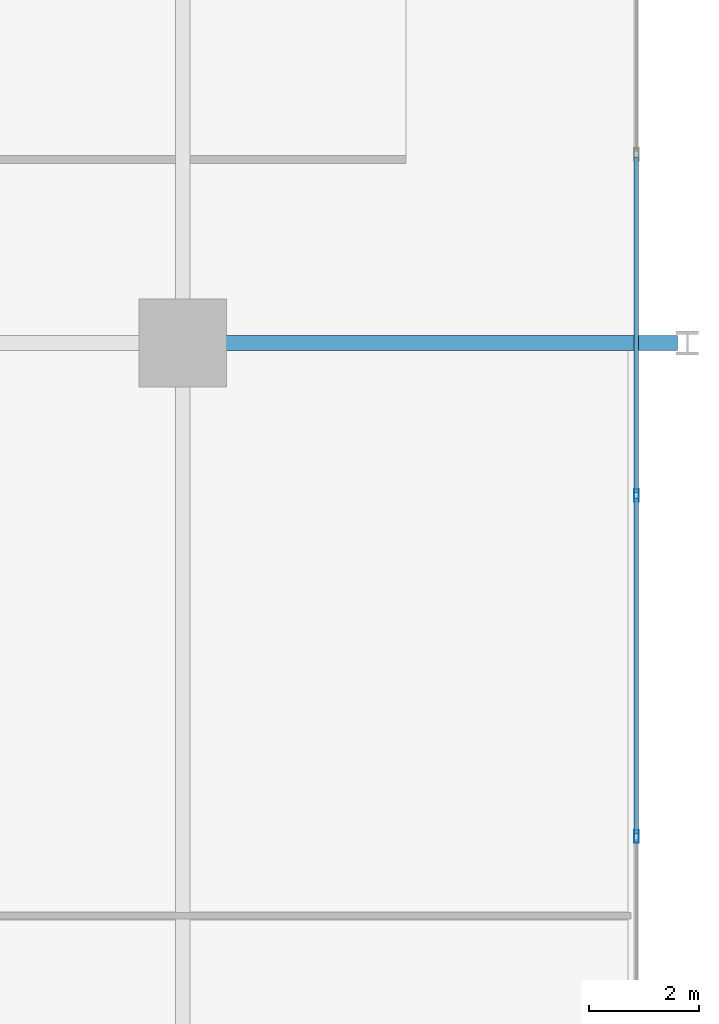
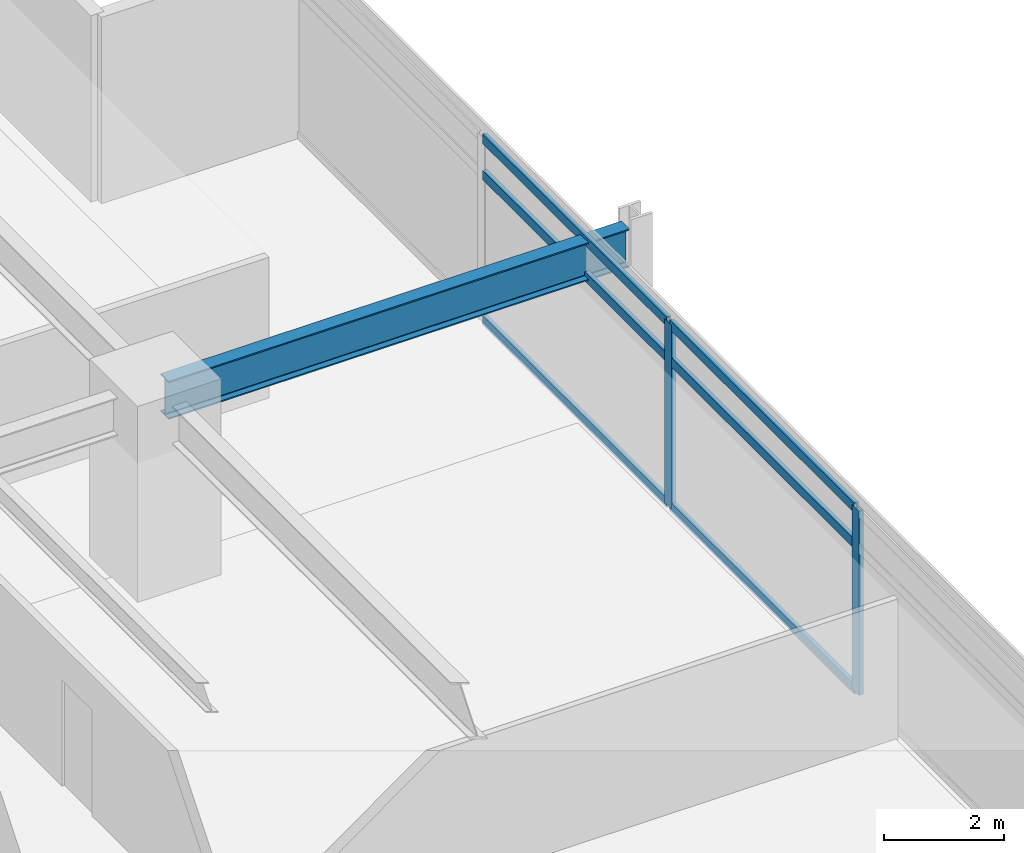
# One storey, part 9 of 20: 8 members, 1 beam, 1 element without a shape of its own.
"""IFC4 building model written with IfcOpenShell, lengths in metres."""

from ifc_helpers import new_model, si_unit, direction, frame, origin, origin_2d, place, context, subcontext, project, spatial, hollow_rectangle, i_section, extrude, material, material_profile, profile_set, type_object, element, aggregate, save


model = new_model("IFC4")

# Units and contexts
model_context = context("Model", 3, precision=1e-05, world=origin(), true_north=direction((0.0, 1.0)))
body_context = subcontext(model_context, "Body", "Model", "MODEL_VIEW")
ifc_project = project(units=[si_unit("LENGTHUNIT", "METRE"), si_unit("AREAUNIT", "SQUARE_METRE"), si_unit("VOLUMEUNIT", "CUBIC_METRE"), si_unit("PLANEANGLEUNIT", "RADIAN"), si_unit("MASSUNIT", "GRAM", prefix="KILO")], contexts=[model_context])

# Site, building, storey
site_placement = place(None, origin())
site = spatial("IfcSite", under=ifc_project, at=site_placement, CompositionType="ELEMENT")
building_placement = place(site_placement, origin())
building = spatial("IfcBuilding", under=site, at=building_placement, Name="Kovane Verandah Tower", CompositionType="ELEMENT")
storey_placement = place(building_placement, frame((0.0, 0.0, 160.39990234375)))
storey = spatial("IfcBuildingStorey", under=building, at=storey_placement, Name="L37", CompositionType="ELEMENT", Elevation=160.39990234375)

# Beam
ifc_material_1 = material(Name="Steel S355", Category="steel")
ifc_material_profile_1 = material_profile(ifc_material_1, i_section(OverallWidth=0.26806640625, OverallDepth=0.769775390625, WebThickness=0.015625, FlangeThickness=0.025390625, FilletRadius=0.0166015625, at=origin_2d()), Name="UB762x267x197")
ifc_profile_set_1 = profile_set([ifc_material_profile_1], Name="Steel S355")
beam_type = type_object("IfcBeamType", Name="BM-UB762x197", PredefinedType="BEAM", material=ifc_profile_set_1)
beam_placement = place(storey_placement, frame((58.580078125, 36.5, 3.375244140625), z_axis=(1.0, 0.0, 0.0), x_axis=(0.0, 1.0, 0.0)))
element("IfcBeam", 1, at=beam_placement, inside=storey, type_object=beam_type, Name="L37 Primary Tower Girder G-VE2", PredefinedType="BEAM", context=body_context, shape_type="SweptSolid", body=[
    extrude(i_section(OverallWidth=0.26806640625, OverallDepth=0.769775390625, WebThickness=0.015625, FlangeThickness=0.025390625, FilletRadius=0.0166015625, at=origin_2d()), origin(), (0.0, 0.0, 1.0), 8.83984375),
])

# Curtain wall, members
ifc_material_2 = material(Name="Champagne Anodised Aluminium Frame with Low-E Clear Laminated Glass", Category="aluminium")
curtain_wall_type = type_object("IfcCurtainWallType", Name="CW-SYS-03-MID", PredefinedType="NOTDEFINED", material=ifc_material_2)
curtain_wall_placement = place(storey_placement, origin())
curtain_wall = element("IfcCurtainWall", 2, at=curtain_wall_placement, inside=storey, type_object=curtain_wall_type, Name="L37 E Unitised Curtain Wall", PredefinedType="NOTDEFINED")
ifc_material_3 = material(Name="Champagne Anodised Aluminium 6063-T6", Category="aluminium")
ifc_material_profile_2 = material_profile(ifc_material_3, hollow_rectangle(XDim=0.0849609375, YDim=0.22998046875, WallThickness=0.00390625, at=origin_2d()), Name="AL85x230x4")
ifc_profile_set_2 = profile_set([ifc_material_profile_2], Name="Champagne Anodised Aluminium 6063-T6")
member_type_1 = type_object("IfcMemberType", Name="CW-MUL-85x230", PredefinedType="MULLION", material=ifc_profile_set_2)
member_1_placement = place(storey_placement, frame((66.67236328125, 27.5, 0.02001953125), z_axis=(0.0, 0.0, 1.0), x_axis=(1.0, 0.0, 0.0)))
member_1 = element("IfcMember", 3, at=member_1_placement, type_object=member_type_1, Name="L37 E Unitised Curtain Wall Mullion 4", PredefinedType="MULLION", context=body_context, shape_type="SweptSolid", body=[
    extrude(hollow_rectangle(XDim=0.0849609375, YDim=0.22998046875, WallThickness=0.00390625, at=origin_2d()), origin(), (0.0, 0.0, 1.0), 3.735107421875),
])
member_2_placement = place(storey_placement, frame((66.67236328125, 33.720458984375, 0.02001953125), z_axis=(0.0, 0.0, 1.0), x_axis=(1.0, 0.0, 0.0)))
member_2 = element("IfcMember", 4, at=member_2_placement, type_object=member_type_1, Name="L37 E Unitised Curtain Wall Mullion 5", PredefinedType="MULLION", context=body_context, shape_type="SweptSolid", body=[
    extrude(hollow_rectangle(XDim=0.0849609375, YDim=0.22998046875, WallThickness=0.00390625, at=origin_2d()), origin(), (0.0, 0.0, 1.0), 3.735107421875),
])
ifc_material_profile_3 = material_profile(ifc_material_3, hollow_rectangle(XDim=0.0849609375, YDim=0.18994140625, WallThickness=0.00390625, at=origin_2d()), Name="AL85x190x4")
ifc_profile_set_3 = profile_set([ifc_material_profile_3], Name="Champagne Anodised Aluminium 6063-T6")
member_type_2 = type_object("IfcMemberType", Name="CW-TRN-85x190", PredefinedType="USERDEFINED", material=ifc_profile_set_3)
member_3_placement = place(storey_placement, frame((66.67236328125, 27.550048828125, 0.050048828125), z_axis=(0.0, 1.0, 0.0), x_axis=(-1.0, 0.0, 0.0)))
member_3 = element("IfcMember", 5, at=member_3_placement, type_object=member_type_2, Name="L37 E Unitised Curtain Wall Transom TB Bay 4", ObjectType="TRANSOM", PredefinedType="USERDEFINED", context=body_context, shape_type="SweptSolid", body=[
    extrude(hollow_rectangle(XDim=0.0849609375, YDim=0.18994140625, WallThickness=0.00390625, at=origin_2d()), origin(), (0.0, 0.0, 1.0), 6.120361328125),
])
member_4_placement = place(storey_placement, frame((66.67236328125, 27.550048828125, 2.9951171875), z_axis=(0.0, 1.0, 0.0), x_axis=(-1.0, 0.0, 0.0)))
member_4 = element("IfcMember", 6, at=member_4_placement, type_object=member_type_2, Name="L37 E Unitised Curtain Wall Transom TM Bay 4", ObjectType="TRANSOM", PredefinedType="USERDEFINED", context=body_context, shape_type="SweptSolid", body=[
    extrude(hollow_rectangle(XDim=0.0849609375, YDim=0.18994140625, WallThickness=0.00390625, at=origin_2d()), origin(), (0.0, 0.0, 1.0), 6.120361328125),
])
member_5_placement = place(storey_placement, frame((66.67236328125, 27.550048828125, 3.72509765625), z_axis=(0.0, 1.0, 0.0), x_axis=(-1.0, 0.0, 0.0)))
member_5 = element("IfcMember", 7, at=member_5_placement, type_object=member_type_2, Name="L37 E Unitised Curtain Wall Transom TT Bay 4", ObjectType="TRANSOM", PredefinedType="USERDEFINED", context=body_context, shape_type="SweptSolid", body=[
    extrude(hollow_rectangle(XDim=0.0849609375, YDim=0.18994140625, WallThickness=0.00390625, at=origin_2d()), origin(), (0.0, 0.0, 1.0), 6.120361328125),
])
member_6_placement = place(storey_placement, frame((66.67236328125, 33.7705078125, 0.050048828125), z_axis=(0.0, 1.0, 0.0), x_axis=(-1.0, 0.0, 0.0)))
member_6 = element("IfcMember", 8, at=member_6_placement, type_object=member_type_2, Name="L37 E Unitised Curtain Wall Transom TB Bay 5", ObjectType="TRANSOM", PredefinedType="USERDEFINED", context=body_context, shape_type="SweptSolid", body=[
    extrude(hollow_rectangle(XDim=0.0849609375, YDim=0.18994140625, WallThickness=0.00390625, at=origin_2d()), origin(), (0.0, 0.0, 1.0), 6.120361328125),
])
member_7_placement = place(storey_placement, frame((66.67236328125, 33.7705078125, 2.9951171875), z_axis=(0.0, 1.0, 0.0), x_axis=(-1.0, 0.0, 0.0)))
member_7 = element("IfcMember", 9, at=member_7_placement, type_object=member_type_2, Name="L37 E Unitised Curtain Wall Transom TM Bay 5", ObjectType="TRANSOM", PredefinedType="USERDEFINED", context=body_context, shape_type="SweptSolid", body=[
    extrude(hollow_rectangle(XDim=0.0849609375, YDim=0.18994140625, WallThickness=0.00390625, at=origin_2d()), origin(), (0.0, 0.0, 1.0), 6.120361328125),
])
member_8_placement = place(storey_placement, frame((66.67236328125, 33.7705078125, 3.72509765625), z_axis=(0.0, 1.0, 0.0), x_axis=(-1.0, 0.0, 0.0)))
member_8 = element("IfcMember", 10, at=member_8_placement, type_object=member_type_2, Name="L37 E Unitised Curtain Wall Transom TT Bay 5", ObjectType="TRANSOM", PredefinedType="USERDEFINED", context=body_context, shape_type="SweptSolid", body=[
    extrude(hollow_rectangle(XDim=0.0849609375, YDim=0.18994140625, WallThickness=0.00390625, at=origin_2d()), origin(), (0.0, 0.0, 1.0), 6.120361328125),
])
aggregate(curtain_wall, [member_1, member_2, member_3, member_4, member_5, member_6, member_7, member_8])

save(model, "model.ifc")
